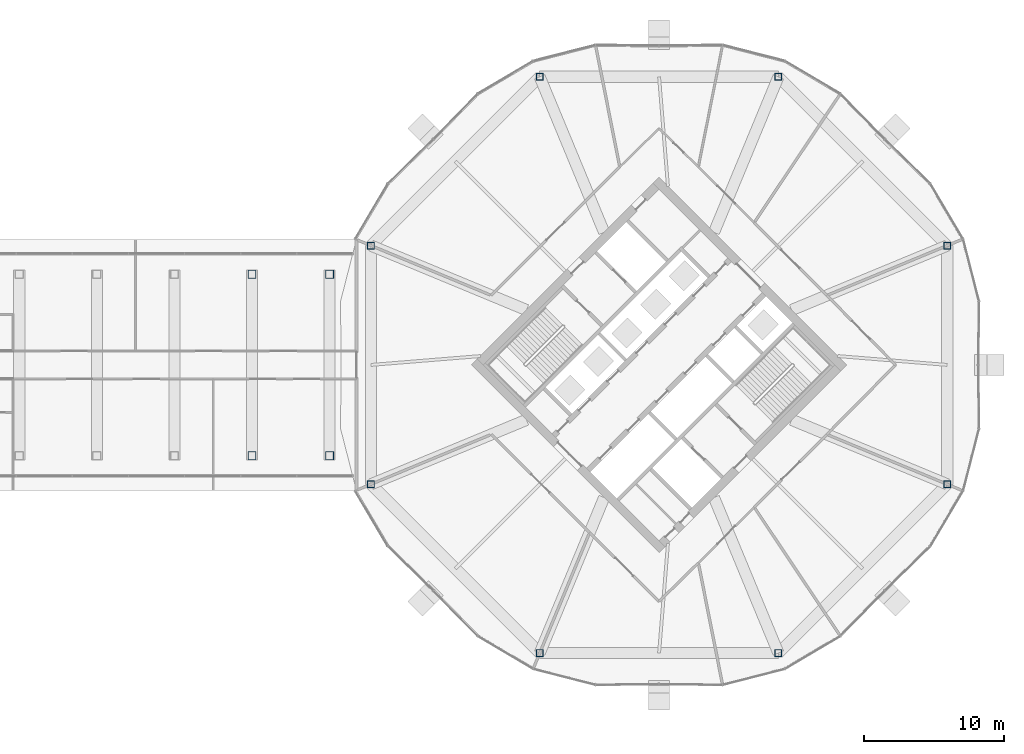
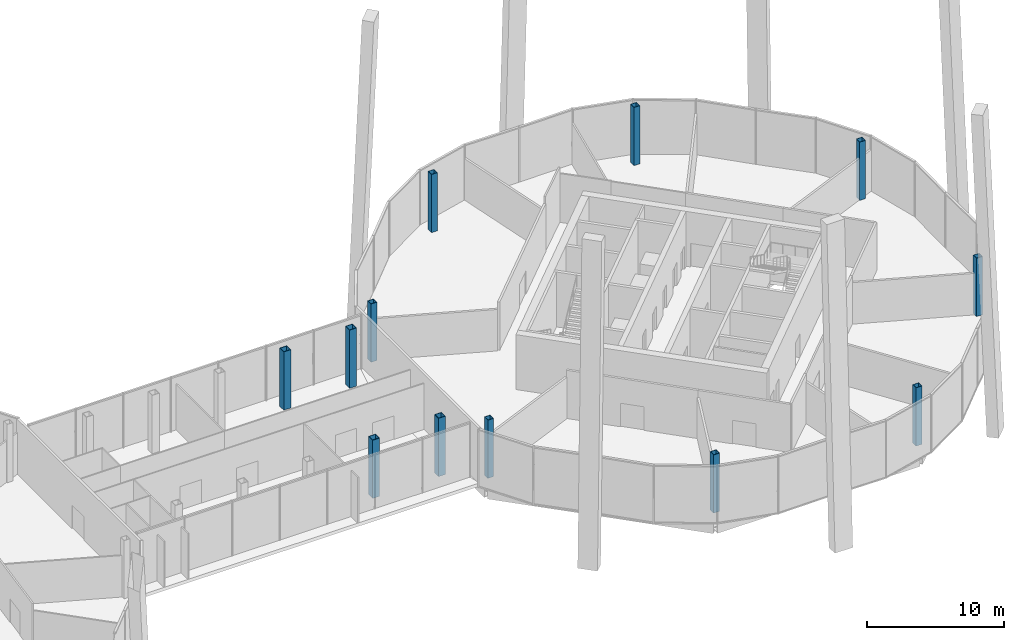
# One storey, part 2 of 28: 12 columns.
"""IFC4 building model written with IfcOpenShell, lengths in metres."""

from ifc_helpers import new_model, si_unit, direction, frame, origin, origin_2d, place, context, subcontext, project, spatial, hollow_rectangle, extrude, material, material_profile, profile_set, type_object, element, save


model = new_model("IFC4")

# Units and contexts
model_context = context("Model", 3, precision=1e-05, world=origin(), true_north=direction((0.0, 1.0)))
body_context = subcontext(model_context, "Body", "Model", "MODEL_VIEW")
ifc_project = project(units=[si_unit("LENGTHUNIT", "METRE"), si_unit("AREAUNIT", "SQUARE_METRE"), si_unit("VOLUMEUNIT", "CUBIC_METRE"), si_unit("PLANEANGLEUNIT", "RADIAN"), si_unit("MASSUNIT", "GRAM", prefix="KILO")], contexts=[model_context])

# Site, building, storey
site_placement = place(None, origin())
site = spatial("IfcSite", under=ifc_project, at=site_placement, CompositionType="ELEMENT")
building_placement = place(site_placement, origin())
building = spatial("IfcBuilding", under=site, at=building_placement, Name="Ogive Gate Towers", CompositionType="ELEMENT")
storey_placement = place(building_placement, frame((0.0, 0.0, 135.60009765625)))
storey = spatial("IfcBuildingStorey", under=building, at=storey_placement, Name="L32", CompositionType="ELEMENT", Elevation=135.60009765625)

# Columns
ifc_material = material(Name="Steel SM460", Category="steel")
ifc_material_profile_1 = material_profile(ifc_material, hollow_rectangle(XDim=0.60009765625, YDim=0.60009765625, WallThickness=0.0400390625, at=origin_2d()), Name="BX 600x600x40")
ifc_profile_set_1 = profile_set([ifc_material_profile_1], Name="Steel SM460")
column_type_1 = type_object("IfcColumnType", Name="Block column BX 600x600x40", PredefinedType="COLUMN", material=ifc_profile_set_1)
for number, where, z_axis, x_axis, name in (
    (1, (6.8388671875, -6.5, 0.0), (0.0, 0.0, 1.0), (1.0, 0.0, 0.0), "BR/L32/SCL007"),
    (2, (6.8388671875, 6.5, 0.0), (0.0, 0.0, 1.0), (1.0, 0.0, 0.0), "BR/L32/SCL008"),
    (3, (12.3955078125, -6.5, 0.0), (0.0, 0.0, 1.0), (1.0, 0.0, 0.0), "BR/L32/SCL009"),
    (4, (12.3955078125, 6.5, 0.0), (0.0, 0.0, 1.0), (1.0, 0.0, 0.0), "BR/L32/SCL010"),
):
    element("IfcColumn", number, at=place(storey_placement, frame(where, z_axis=z_axis, x_axis=x_axis)), inside=storey, type_object=column_type_1, Name=name, PredefinedType="COLUMN", context=body_context, shape_type="SweptSolid", body=[
        extrude(hollow_rectangle(XDim=0.60009765625, YDim=0.60009765625, WallThickness=0.0400390625, at=origin_2d()), origin(), (0.0, 0.0, 1.0), 5.199951171875),
    ])
ifc_material_profile_2 = material_profile(ifc_material, hollow_rectangle(XDim=0.5, YDim=0.5, WallThickness=0.030029296875, at=origin_2d()), Name="BX 500x500x30")
ifc_profile_set_2 = profile_set([ifc_material_profile_2], Name="Steel SM460")
column_type_2 = type_object("IfcColumnType", Name="Perimeter post BX 500x500x30", PredefinedType="COLUMN", material=ifc_profile_set_2)
for number, where, z_axis, x_axis, name in (
    (5, (56.639404296875, 8.549072265625, 0.0), (0.0, 0.0, 1.0), (1.0, 0.0, 0.0), "T2/L32/SCL001"),
    (6, (44.549072265625, 20.639404296875, 0.0), (0.0, 0.0, 1.0), (1.0, 0.0, 0.0), "T2/L32/SCL002"),
    (7, (27.450927734375, 20.639404296875, 0.0), (0.0, 0.0, 1.0), (1.0, 0.0, 0.0), "T2/L32/SCL003"),
    (8, (15.360595703125, 8.549072265625, 0.0), (0.0, 0.0, 1.0), (1.0, 0.0, 0.0), "T2/L32/SCL004"),
    (9, (15.360595703125, -8.549072265625, 0.0), (0.0, 0.0, 1.0), (1.0, 0.0, 0.0), "T2/L32/SCL005"),
    (10, (27.450927734375, -20.639404296875, 0.0), (0.0, 0.0, 1.0), (1.0, 0.0, 0.0), "T2/L32/SCL006"),
    (11, (44.549072265625, -20.639404296875, 0.0), (0.0, 0.0, 1.0), (1.0, 0.0, 0.0), "T2/L32/SCL007"),
    (12, (56.639404296875, -8.549072265625, 0.0), (0.0, 0.0, 1.0), (1.0, 0.0, 0.0), "T2/L32/SCL008"),
):
    element("IfcColumn", number, at=place(storey_placement, frame(where, z_axis=z_axis, x_axis=x_axis)), inside=storey, type_object=column_type_2, Name=name, PredefinedType="COLUMN", context=body_context, shape_type="SweptSolid", body=[
        extrude(hollow_rectangle(XDim=0.5, YDim=0.5, WallThickness=0.030029296875, at=origin_2d()), origin(), (0.0, 0.0, 1.0), 5.199951171875),
    ])

save(model, "model.ifc")
